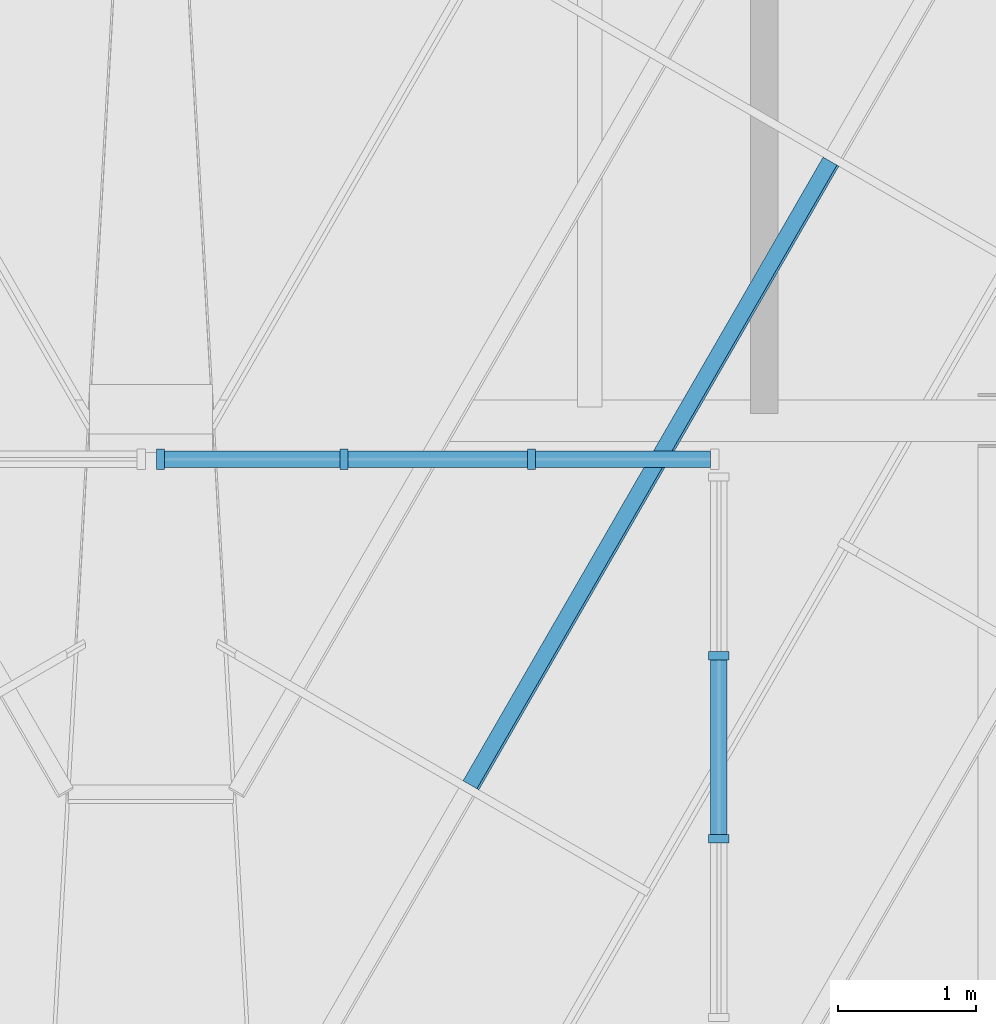
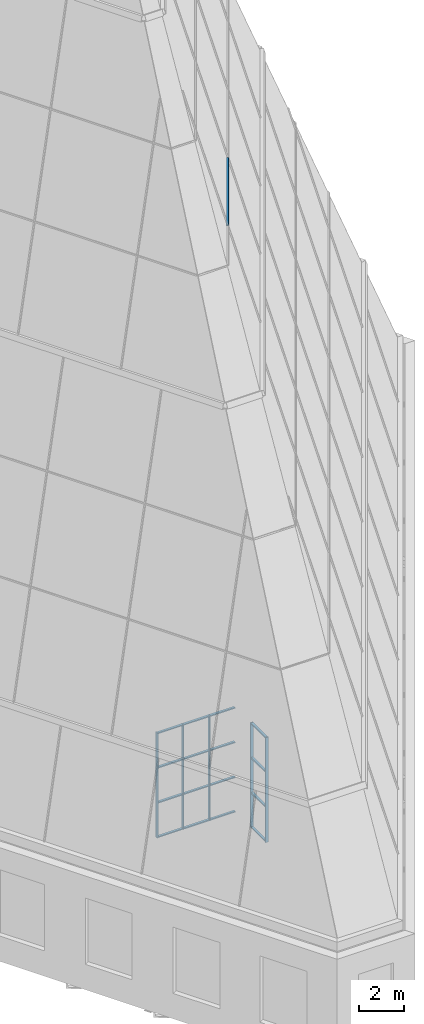
# One storey, part 16 of 36: 22 members, 3 elements without a shape of their own.
"""IFC4 building model written with IfcOpenShell, lengths in metres."""

import ifcopenshell
import ifcopenshell.guid

model = None  # the IFC model being written
_history = None  # IfcOwnerHistory: only IFC2X3 demands one
_inside = {}  # id of a spatial element -> (the spatial element, [elements in it])
_under = {}  # id of a project, library or spatial element -> (it, [spatial elements below it])
_declared = {}  # id of a project -> (the project, [libraries it declares])
_typed = {}  # id of a type object -> (the type object, [elements of that type])
_made_of = {}  # id of a material, layer set ... -> (it, [elements and type objects made of it])


def new_model(schema):
    """Start an empty IFC model of exactly this schema.

    Asked for "IFC4X3", IfcOpenShell would pick the latest addendum, in which some entities
    have other attributes; the version numbers below select the first issue.
    IFC2X3 requires an IfcOwnerHistory on every rooted entity: one is made here for all.
    """
    global model, _history
    if schema == "IFC4X3":
        model = ifcopenshell.file(schema_version=(4, 3, 0, 0))
    else:
        model = ifcopenshell.file(schema=schema)
    _inside.clear()
    _under.clear()
    _declared.clear()
    _typed.clear()
    _made_of.clear()
    _history = None
    if model.schema == "IFC2X3":
        org = make("IfcOrganization", Name="unknown")
        user = make(
            "IfcPersonAndOrganization",
            ThePerson=make("IfcPerson", FamilyName="unknown"),
            TheOrganization=org,
        )
        app = make(
            "IfcApplication",
            ApplicationDeveloper=org,
            Version="unknown",
            ApplicationFullName="unknown",
            ApplicationIdentifier="unknown",
        )
        _history = make(
            "IfcOwnerHistory",
            OwningUser=user,
            OwningApplication=app,
            ChangeAction="ADDED",
            CreationDate=0,
        )
    return model


def make(cls, **values):
    """One entity of the class cls with the attributes given. An attribute that is None is left unset."""
    return model.create_entity(
        cls, **{name: value for name, value in values.items() if value is not None}
    )


def rooted(cls, **values):
    """An entity with a GlobalId (a new one), such as an element, a storey or a relation."""
    return make(cls, GlobalId=ifcopenshell.guid.new(), OwnerHistory=_history, **values)


def si_unit(unit_type, name, prefix=None):
    """IfcSIUnit, for example si_unit("LENGTHUNIT", "METRE", prefix="MILLI")."""
    return make("IfcSIUnit", UnitType=unit_type, Prefix=prefix, Name=name)


def assignment(units):
    """IfcUnitAssignment: the units of a project."""
    return None if units is None else make("IfcUnitAssignment", Units=units)


def point(xyz):
    """IfcCartesianPoint."""
    return None if xyz is None else make("IfcCartesianPoint", Coordinates=xyz)


def direction(xyz):
    """IfcDirection."""
    return None if xyz is None else make("IfcDirection", DirectionRatios=xyz)


def frame(location, z_axis=None, x_axis=None):
    """IfcAxis2Placement3D, a coordinate frame: its origin and axes. An axis left out is left unset."""
    return make(
        "IfcAxis2Placement3D",
        Location=point(location),
        Axis=direction(z_axis),
        RefDirection=direction(x_axis),
    )


def frame_2d(location, x_axis=None):
    """IfcAxis2Placement2D, a coordinate frame in the plane: its origin and x axis."""
    return make(
        "IfcAxis2Placement2D", Location=point(location), RefDirection=direction(x_axis)
    )


def origin():
    """The frame at (0, 0, 0) with its axes left unset."""
    return frame((0.0, 0.0, 0.0))


def origin_2d():
    """The frame at (0, 0) in the plane with its x axis left unset."""
    return frame_2d((0.0, 0.0))


def place(relative_to, where):
    """IfcLocalPlacement: puts the frame where relative to a parent placement (None: the world)."""
    return make(
        "IfcLocalPlacement", PlacementRelTo=relative_to, RelativePlacement=where
    )


def context(
    kind, dimensions, precision=None, world=None, true_north=None, identifier=None
):
    """IfcGeometricRepresentationContext, for example the 3D "Model" context."""
    return make(
        "IfcGeometricRepresentationContext",
        ContextIdentifier=identifier,
        ContextType=kind,
        CoordinateSpaceDimension=dimensions,
        Precision=precision,
        WorldCoordinateSystem=world,
        TrueNorth=true_north,
    )


def subcontext(parent, identifier, kind, view, scale=None):
    """IfcGeometricRepresentationSubContext, for example "Body" below "Model"."""
    return make(
        "IfcGeometricRepresentationSubContext",
        ContextIdentifier=identifier,
        ContextType=kind,
        ParentContext=parent,
        TargetScale=scale,
        TargetView=view,
    )


def project(units=None, contexts=None):
    """IfcProject with its units and contexts."""
    return rooted(
        "IfcProject",
        Name="project",
        RepresentationContexts=contexts,
        UnitsInContext=assignment(units),
    )


def spatial(cls, under=None, at=None, **own):
    """A site, building, storey or space (cls), placed at a placement, below another one or the project."""
    s = rooted(cls, ObjectPlacement=at, **own)
    if under is not None:
        _under.setdefault(under.id(), (under, []))[1].append(s)
    return s


def profile(cls, at=None, kind="AREA", **sizes):
    """A parametric profile (cls). Its sizes go by their IFC names, for example OverallWidth=200.0."""
    return make(cls, ProfileType=kind, Position=at, **sizes)


def rectangle(**sizes):
    """IfcRectangleProfileDef."""
    return profile("IfcRectangleProfileDef", **sizes)


def extrude(swept, where, along, depth):
    """IfcExtrudedAreaSolid: the profile swept, set in the frame where, extruded along a direction by depth."""
    return make(
        "IfcExtrudedAreaSolid",
        SweptArea=swept,
        Position=where,
        ExtrudedDirection=direction(along),
        Depth=depth,
    )


def shape(context_of_items, identifier, shape_type, items):
    """IfcShapeRepresentation: the items that make up one representation, for example the "Body"."""
    return make(
        "IfcShapeRepresentation",
        ContextOfItems=context_of_items,
        RepresentationIdentifier=identifier,
        RepresentationType=shape_type,
        Items=items,
    )


def material(Name=None, Category=None):
    """IfcMaterial."""
    return make("IfcMaterial", Name=Name, Category=Category)


def layer(
    of_material, thickness, ventilated=None, Name=None, Category=None, Priority=None
):
    """IfcMaterialLayer: one layer of a wall or slab, of a material (None: an air gap)."""
    return make(
        "IfcMaterialLayer",
        Material=of_material,
        LayerThickness=thickness,
        IsVentilated=ventilated,
        Name=Name,
        Category=Category,
        Priority=Priority,
    )


def layer_set(layers, Name=None):
    """IfcMaterialLayerSet."""
    return make("IfcMaterialLayerSet", MaterialLayers=layers, LayerSetName=Name)


def material_profile(
    of_material, cross_section, Name=None, Category=None, Priority=None
):
    """IfcMaterialProfile: a cross section and its material."""
    return make(
        "IfcMaterialProfile",
        Name=Name,
        Material=of_material,
        Profile=cross_section,
        Priority=Priority,
        Category=Category,
    )


def profile_set(profiles, Name=None, composite=None):
    """IfcMaterialProfileSet."""
    return make(
        "IfcMaterialProfileSet",
        Name=Name,
        MaterialProfiles=profiles,
        CompositeProfile=composite,
    )


def made_of(thing, what):
    """Note that an element or type object is made of a material, layer set ...; save() writes the relation."""
    if what is not None:
        _made_of.setdefault(what.id(), (what, []))[1].append(thing)
    return thing


def type_object(cls, material=None, **own):
    """A type object (cls), such as IfcWallType, which elements share."""
    return made_of(rooted(cls, **own), material)


def element(
    cls,
    number,
    at=None,
    inside=None,
    cuts=None,
    type_object=None,
    material=None,
    context=None,
    identifier="Body",
    shape_type=None,
    held_by="IfcProductDefinitionShape",
    body=None,
    shapes=None,
    **own,
):
    """One element of the class cls, such as IfcWall. Its Tag is "e" and its number.

    at: its placement. inside: the storey or other place that contains it. cuts: it is an
    opening in that element (IfcRelVoidsElement). A single representation is given by context,
    identifier, shape_type and body (its items); several are given by shapes. held_by: the class
    of the entity that holds the representations. save() writes the other relations.
    """
    e = rooted(cls, Tag="e%d" % number, ObjectPlacement=at, **own)
    if body is not None:
        shapes = [shape(context, identifier, shape_type, body)]
    if shapes is not None:
        e.Representation = make(held_by, Representations=shapes)
    if inside is not None:
        _inside.setdefault(inside.id(), (inside, []))[1].append(e)
    if cuts is not None:
        rooted(
            "IfcRelVoidsElement", RelatingBuildingElement=cuts, RelatedOpeningElement=e
        )
    if type_object is not None:
        _typed.setdefault(type_object.id(), (type_object, []))[1].append(e)
    return made_of(e, material)


def aggregate(whole, parts):
    """IfcRelAggregates: a whole, such as a stair, and the parts it consists of."""
    return rooted("IfcRelAggregates", RelatingObject=whole, RelatedObjects=parts)


def save(model, path):
    """Write the relations noted so far, then the file.

    IfcRelAggregates (storeys below a building ...), IfcRelContainedInSpatialStructure (elements
    in a storey), IfcRelDefinesByType, IfcRelAssociatesMaterial and IfcRelDeclares: one each for
    every whole, place, type object, material and project.
    """
    for whole, parts in _under.values():
        aggregate(whole, parts)
    for where, things in _inside.values():
        rooted(
            "IfcRelContainedInSpatialStructure",
            RelatedElements=things,
            RelatingStructure=where,
        )
    for kind, things in _typed.values():
        rooted("IfcRelDefinesByType", RelatedObjects=things, RelatingType=kind)
    for what, things in _made_of.values():
        rooted("IfcRelAssociatesMaterial", RelatedObjects=things, RelatingMaterial=what)
    for by, libraries in _declared.values():
        rooted("IfcRelDeclares", RelatingContext=by, RelatedDefinitions=libraries)
    model.write(path)


model = new_model("IFC4")

# Units and contexts
model_context = context("Model", 3, precision=1e-05, world=origin(), true_north=direction((0.0, 1.0)))
body_context = subcontext(model_context, "Body", "Model", "MODEL_VIEW")
ifc_project = project(units=[si_unit("LENGTHUNIT", "METRE"), si_unit("AREAUNIT", "SQUARE_METRE"), si_unit("VOLUMEUNIT", "CUBIC_METRE"), si_unit("PLANEANGLEUNIT", "RADIAN"), si_unit("MASSUNIT", "GRAM", prefix="KILO")], contexts=[model_context])

# Site, building, storey
site_placement = place(None, origin())
site = spatial("IfcSite", under=ifc_project, at=site_placement, CompositionType="ELEMENT")
building_placement = place(site_placement, origin())
building = spatial("IfcBuilding", under=site, at=building_placement, Name="Njiva Tower", CompositionType="ELEMENT")
storey_placement = place(building_placement, frame((0.0, 0.0, 337.8)))
storey = spatial("IfcBuildingStorey", under=building, at=storey_placement, Name="L77", CompositionType="ELEMENT", Elevation=337.8)

# Curtain wall, member
ifc_material_1 = material(Name="Glazed curtain wall", Category="glass")
ifc_layer_1 = layer(ifc_material_1, 0.16)
ifc_layer_set_1 = layer_set([ifc_layer_1], Name="Glazed curtain wall")
curtain_wall_type_1 = type_object("IfcCurtainWallType", Name="CW2 Crown glazing, faceted point, long faces", PredefinedType="NOTDEFINED", material=ifc_layer_set_1)
curtain_wall_1_placement = place(storey_placement, origin())
curtain_wall_1 = element("IfcCurtainWall", 1, at=curtain_wall_1_placement, inside=storey, type_object=curtain_wall_type_1, Name="Crown glazing face SE tier 3", PredefinedType="NOTDEFINED")
ifc_material_2 = material(Name="Aluminium transom", Category="aluminium")
ifc_material_profile_1 = material_profile(ifc_material_2, rectangle(XDim=0.12, YDim=0.06, at=origin_2d()), Name="RECT 120x60")
ifc_profile_set_1 = profile_set([ifc_material_profile_1], Name="Aluminium transom")
member_type_1 = type_object("IfcMemberType", Name="CW2-T Crown glazing transom 120x60", PredefinedType="USERDEFINED", material=ifc_profile_set_1)
member_1_placement = place(storey_placement, frame((2.3213, -5.8456, 33.8869), z_axis=(0.500011895634, 0.866018535728, 0.0), x_axis=(0.834716027067, -0.481938810534, 0.266428483949)))
member_1 = element("IfcMember", 2, at=member_1_placement, type_object=member_type_1, Name="CW2-53 transom 2.1", ObjectType="TRANSOM", PredefinedType="USERDEFINED", context=body_context, shape_type="SweptSolid", body=[
    extrude(rectangle(XDim=0.12, YDim=0.06, at=origin_2d()), origin(), (0.0, 0.0, 1.0), 5.2237),
])
aggregate(curtain_wall_1, [member_1])

# Curtain wall, members
ifc_layer_2 = layer(ifc_material_1, 0.2)
ifc_layer_set_2 = layer_set([ifc_layer_2], Name="Glazed curtain wall")
curtain_wall_type_2 = type_object("IfcCurtainWallType", Name="CW5 Atrium lantern glazing", PredefinedType="NOTDEFINED", material=ifc_layer_set_2)
curtain_wall_2_placement = place(storey_placement, origin())
curtain_wall_2 = element("IfcCurtainWall", 3, at=curtain_wall_2_placement, inside=storey, type_object=curtain_wall_type_2, Name="Atrium lantern north 2", PredefinedType="NOTDEFINED")
ifc_material_3 = material(Name="Aluminium mullion", Category="aluminium")
ifc_material_profile_2 = material_profile(ifc_material_3, rectangle(XDim=0.15, YDim=0.06, at=origin_2d()), Name="RECT 150x60")
ifc_profile_set_2 = profile_set([ifc_material_profile_2], Name="Aluminium mullion")
member_type_2 = type_object("IfcMemberType", Name="CW5-M Lantern mullion 150x60", PredefinedType="MULLION", material=ifc_profile_set_2)
member_2_placement = place(storey_placement, frame((0.07, -3.48, 0.0), z_axis=(0.0, 0.0, 1.0), x_axis=(0.0, 1.0, 0.0)))
member_2 = element("IfcMember", 4, at=member_2_placement, type_object=member_type_2, Name="CW5-4 mullion 1", PredefinedType="MULLION", context=body_context, shape_type="SweptSolid", body=[
    extrude(rectangle(XDim=0.15, YDim=0.06, at=origin_2d()), origin(), (0.0, 0.0, 1.0), 5.7),
])
member_3_placement = place(storey_placement, frame((1.4, -3.48, 0.0), z_axis=(0.0, 0.0, 1.0), x_axis=(0.0, 1.0, 0.0)))
member_3 = element("IfcMember", 5, at=member_3_placement, type_object=member_type_2, Name="CW5-4 mullion 2", PredefinedType="MULLION", context=body_context, shape_type="SweptSolid", body=[
    extrude(rectangle(XDim=0.15, YDim=0.06, at=origin_2d()), origin(), (0.0, 0.0, 1.0), 5.7),
])
member_4_placement = place(storey_placement, frame((2.76, -3.48, 0.0), z_axis=(0.0, 0.0, 1.0), x_axis=(0.0, 1.0, 0.0)))
member_4 = element("IfcMember", 6, at=member_4_placement, type_object=member_type_2, Name="CW5-4 mullion 3", PredefinedType="MULLION", context=body_context, shape_type="SweptSolid", body=[
    extrude(rectangle(XDim=0.15, YDim=0.06, at=origin_2d()), origin(), (0.0, 0.0, 1.0), 5.7),
])

curtain_wall_3_placement = place(storey_placement, origin())
curtain_wall_3 = element("IfcCurtainWall", 7, at=curtain_wall_3_placement, inside=storey, type_object=curtain_wall_type_2, Name="Atrium lantern east 2", PredefinedType="NOTDEFINED")
member_5_placement = place(storey_placement, frame((4.12, -6.2333, 0.0), z_axis=(0.0, 0.0, 1.0), x_axis=(-1.0, 0.0, 0.0)))
member_5 = element("IfcMember", 8, at=member_5_placement, type_object=member_type_2, Name="CW5-8 mullion 2", PredefinedType="MULLION", context=body_context, shape_type="SweptSolid", body=[
    extrude(rectangle(XDim=0.15, YDim=0.06, at=origin_2d()), origin(), (0.0, 0.0, 1.0), 5.7),
])
member_6_placement = place(storey_placement, frame((4.12, -4.9067, 0.0), z_axis=(0.0, 0.0, 1.0), x_axis=(-1.0, 0.0, 0.0)))
member_6 = element("IfcMember", 9, at=member_6_placement, type_object=member_type_2, Name="CW5-8 mullion 3", PredefinedType="MULLION", context=body_context, shape_type="SweptSolid", body=[
    extrude(rectangle(XDim=0.15, YDim=0.06, at=origin_2d()), origin(), (0.0, 0.0, 1.0), 5.7),
])

# Member
ifc_material_profile_3 = material_profile(ifc_material_2, rectangle(XDim=0.12, YDim=0.06, at=origin_2d()), Name="RECT 120x60")
ifc_profile_set_3 = profile_set([ifc_material_profile_3], Name="Aluminium transom")
member_type_3 = type_object("IfcMemberType", Name="CW5-T Lantern transom 120x60", PredefinedType="USERDEFINED", material=ifc_profile_set_3)
member_7_placement = place(storey_placement, frame((0.1, -3.48, 0.03), z_axis=(1.0, 0.0, 0.0), x_axis=(0.0, 1.0, 0.0)))
member_7 = element("IfcMember", 10, at=member_7_placement, type_object=member_type_3, Name="CW5-4 transom 1.1", ObjectType="TRANSOM", PredefinedType="USERDEFINED", context=body_context, shape_type="SweptSolid", body=[
    extrude(rectangle(XDim=0.12, YDim=0.06, at=origin_2d()), origin(), (0.0, 0.0, 1.0), 1.27),
])

member_8_placement = place(storey_placement, frame((0.1, -3.48, 1.9), z_axis=(1.0, 0.0, 0.0), x_axis=(0.0, 1.0, 0.0)))
member_8 = element("IfcMember", 11, at=member_8_placement, type_object=member_type_3, Name="CW5-4 transom 1.2", ObjectType="TRANSOM", PredefinedType="USERDEFINED", context=body_context, shape_type="SweptSolid", body=[
    extrude(rectangle(XDim=0.12, YDim=0.06, at=origin_2d()), origin(), (0.0, 0.0, 1.0), 1.27),
])

member_9_placement = place(storey_placement, frame((0.1, -3.48, 3.8), z_axis=(1.0, 0.0, 0.0), x_axis=(0.0, 1.0, 0.0)))
member_9 = element("IfcMember", 12, at=member_9_placement, type_object=member_type_3, Name="CW5-4 transom 1.3", ObjectType="TRANSOM", PredefinedType="USERDEFINED", context=body_context, shape_type="SweptSolid", body=[
    extrude(rectangle(XDim=0.12, YDim=0.06, at=origin_2d()), origin(), (0.0, 0.0, 1.0), 1.27),
])

member_10_placement = place(storey_placement, frame((0.1, -3.48, 5.67), z_axis=(1.0, 0.0, 0.0), x_axis=(0.0, 1.0, 0.0)))
member_10 = element("IfcMember", 13, at=member_10_placement, type_object=member_type_3, Name="CW5-4 transom 1.4", ObjectType="TRANSOM", PredefinedType="USERDEFINED", context=body_context, shape_type="SweptSolid", body=[
    extrude(rectangle(XDim=0.12, YDim=0.06, at=origin_2d()), origin(), (0.0, 0.0, 1.0), 1.27),
])

member_11_placement = place(storey_placement, frame((1.43, -3.48, 0.03), z_axis=(1.0, 0.0, 0.0), x_axis=(0.0, 1.0, 0.0)))
member_11 = element("IfcMember", 14, at=member_11_placement, type_object=member_type_3, Name="CW5-4 transom 2.1", ObjectType="TRANSOM", PredefinedType="USERDEFINED", context=body_context, shape_type="SweptSolid", body=[
    extrude(rectangle(XDim=0.12, YDim=0.06, at=origin_2d()), origin(), (0.0, 0.0, 1.0), 1.3),
])

member_12_placement = place(storey_placement, frame((1.43, -3.48, 1.9), z_axis=(1.0, 0.0, 0.0), x_axis=(0.0, 1.0, 0.0)))
member_12 = element("IfcMember", 15, at=member_12_placement, type_object=member_type_3, Name="CW5-4 transom 2.2", ObjectType="TRANSOM", PredefinedType="USERDEFINED", context=body_context, shape_type="SweptSolid", body=[
    extrude(rectangle(XDim=0.12, YDim=0.06, at=origin_2d()), origin(), (0.0, 0.0, 1.0), 1.3),
])

member_13_placement = place(storey_placement, frame((1.43, -3.48, 3.8), z_axis=(1.0, 0.0, 0.0), x_axis=(0.0, 1.0, 0.0)))
member_13 = element("IfcMember", 16, at=member_13_placement, type_object=member_type_3, Name="CW5-4 transom 2.3", ObjectType="TRANSOM", PredefinedType="USERDEFINED", context=body_context, shape_type="SweptSolid", body=[
    extrude(rectangle(XDim=0.12, YDim=0.06, at=origin_2d()), origin(), (0.0, 0.0, 1.0), 1.3),
])

member_14_placement = place(storey_placement, frame((1.43, -3.48, 5.67), z_axis=(1.0, 0.0, 0.0), x_axis=(0.0, 1.0, 0.0)))
member_14 = element("IfcMember", 17, at=member_14_placement, type_object=member_type_3, Name="CW5-4 transom 2.4", ObjectType="TRANSOM", PredefinedType="USERDEFINED", context=body_context, shape_type="SweptSolid", body=[
    extrude(rectangle(XDim=0.12, YDim=0.06, at=origin_2d()), origin(), (0.0, 0.0, 1.0), 1.3),
])

member_15_placement = place(storey_placement, frame((2.79, -3.48, 0.03), z_axis=(1.0, 0.0, 0.0), x_axis=(0.0, 1.0, 0.0)))
member_15 = element("IfcMember", 18, at=member_15_placement, type_object=member_type_3, Name="CW5-4 transom 3.1", ObjectType="TRANSOM", PredefinedType="USERDEFINED", context=body_context, shape_type="SweptSolid", body=[
    extrude(rectangle(XDim=0.12, YDim=0.06, at=origin_2d()), origin(), (0.0, 0.0, 1.0), 1.27),
])

member_16_placement = place(storey_placement, frame((2.79, -3.48, 1.9), z_axis=(1.0, 0.0, 0.0), x_axis=(0.0, 1.0, 0.0)))
member_16 = element("IfcMember", 19, at=member_16_placement, type_object=member_type_3, Name="CW5-4 transom 3.2", ObjectType="TRANSOM", PredefinedType="USERDEFINED", context=body_context, shape_type="SweptSolid", body=[
    extrude(rectangle(XDim=0.12, YDim=0.06, at=origin_2d()), origin(), (0.0, 0.0, 1.0), 1.27),
])

member_17_placement = place(storey_placement, frame((2.79, -3.48, 3.8), z_axis=(1.0, 0.0, 0.0), x_axis=(0.0, 1.0, 0.0)))
member_17 = element("IfcMember", 20, at=member_17_placement, type_object=member_type_3, Name="CW5-4 transom 3.3", ObjectType="TRANSOM", PredefinedType="USERDEFINED", context=body_context, shape_type="SweptSolid", body=[
    extrude(rectangle(XDim=0.12, YDim=0.06, at=origin_2d()), origin(), (0.0, 0.0, 1.0), 1.27),
])

member_18_placement = place(storey_placement, frame((2.79, -3.48, 5.67), z_axis=(1.0, 0.0, 0.0), x_axis=(0.0, 1.0, 0.0)))
member_18 = element("IfcMember", 21, at=member_18_placement, type_object=member_type_3, Name="CW5-4 transom 3.4", ObjectType="TRANSOM", PredefinedType="USERDEFINED", context=body_context, shape_type="SweptSolid", body=[
    extrude(rectangle(XDim=0.12, YDim=0.06, at=origin_2d()), origin(), (0.0, 0.0, 1.0), 1.27),
])

aggregate(curtain_wall_2, [member_2, member_3, member_4, member_7, member_8, member_9, member_10, member_11, member_12, member_13, member_14, member_15, member_16, member_17, member_18])

member_19_placement = place(storey_placement, frame((4.12, -6.2033, 0.03), z_axis=(0.0, 1.0, 0.0), x_axis=(-1.0, 0.0, 0.0)))
member_19 = element("IfcMember", 22, at=member_19_placement, type_object=member_type_3, Name="CW5-8 transom 2.1", ObjectType="TRANSOM", PredefinedType="USERDEFINED", context=body_context, shape_type="SweptSolid", body=[
    extrude(rectangle(XDim=0.12, YDim=0.06, at=origin_2d()), origin(), (0.0, 0.0, 1.0), 1.2666),
])

member_20_placement = place(storey_placement, frame((4.12, -6.2033, 1.9), z_axis=(0.0, 1.0, 0.0), x_axis=(-1.0, 0.0, 0.0)))
member_20 = element("IfcMember", 23, at=member_20_placement, type_object=member_type_3, Name="CW5-8 transom 2.2", ObjectType="TRANSOM", PredefinedType="USERDEFINED", context=body_context, shape_type="SweptSolid", body=[
    extrude(rectangle(XDim=0.12, YDim=0.06, at=origin_2d()), origin(), (0.0, 0.0, 1.0), 1.2666),
])

member_21_placement = place(storey_placement, frame((4.12, -6.2033, 3.8), z_axis=(0.0, 1.0, 0.0), x_axis=(-1.0, 0.0, 0.0)))
member_21 = element("IfcMember", 24, at=member_21_placement, type_object=member_type_3, Name="CW5-8 transom 2.3", ObjectType="TRANSOM", PredefinedType="USERDEFINED", context=body_context, shape_type="SweptSolid", body=[
    extrude(rectangle(XDim=0.12, YDim=0.06, at=origin_2d()), origin(), (0.0, 0.0, 1.0), 1.2666),
])

member_22_placement = place(storey_placement, frame((4.12, -6.2033, 5.67), z_axis=(0.0, 1.0, 0.0), x_axis=(-1.0, 0.0, 0.0)))
member_22 = element("IfcMember", 25, at=member_22_placement, type_object=member_type_3, Name="CW5-8 transom 2.4", ObjectType="TRANSOM", PredefinedType="USERDEFINED", context=body_context, shape_type="SweptSolid", body=[
    extrude(rectangle(XDim=0.12, YDim=0.06, at=origin_2d()), origin(), (0.0, 0.0, 1.0), 1.2666),
])

aggregate(curtain_wall_3, [member_5, member_6, member_19, member_20, member_21, member_22])

save(model, "model.ifc")
